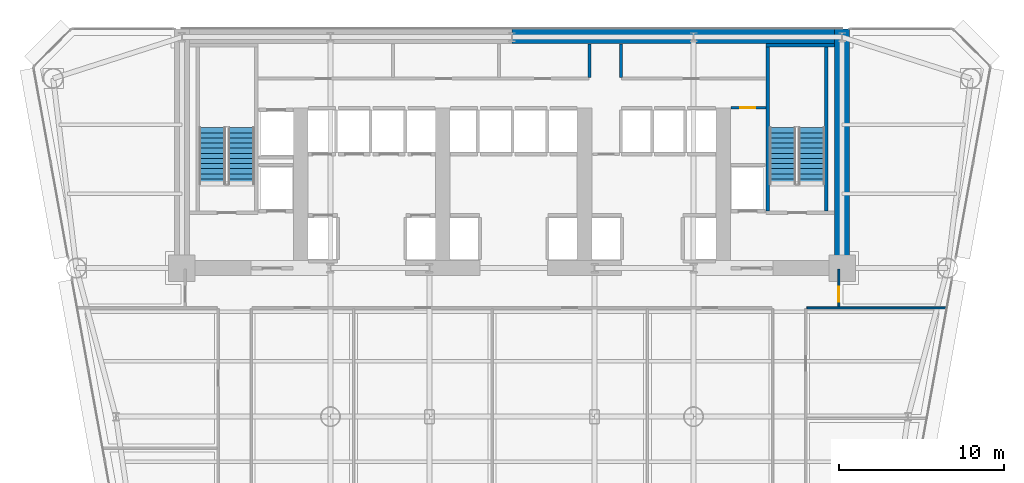
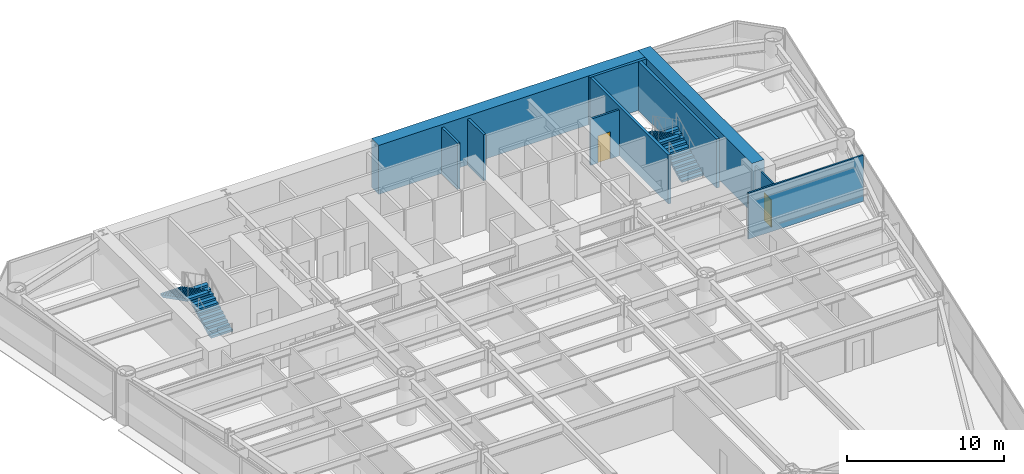
# One storey, part 10 of 14: 10 walls, 4 stair flights, 2 doors, 2 openings, 2 elements without a shape of their own.
"""IFC4 building model written with IfcOpenShell, lengths in metres."""

from ifc_helpers import new_model, si_unit, direction, frame, frame_2d, origin, place, context, subcontext, project, spatial, polyline, rectangle, outline, extrude, source, transform, mapped, material, layer, layer_set, type_object, element, fill, aggregate, save


model = new_model("IFC4")

# Units and contexts
model_context = context("Model", 3, precision=1e-05, world=origin(), true_north=direction((0.0, 1.0)))
body_context = subcontext(model_context, "Body", "Model", "MODEL_VIEW")
ifc_project = project(units=[si_unit("LENGTHUNIT", "METRE"), si_unit("AREAUNIT", "SQUARE_METRE"), si_unit("VOLUMEUNIT", "CUBIC_METRE"), si_unit("PLANEANGLEUNIT", "RADIAN"), si_unit("MASSUNIT", "GRAM", prefix="KILO")], contexts=[model_context])

# Site, building, storey
site_placement = place(None, origin())
site = spatial("IfcSite", under=ifc_project, at=site_placement, CompositionType="ELEMENT")
building_placement = place(site_placement, origin())
building = spatial("IfcBuilding", under=site, at=building_placement, Name="Vaeldorn Concourse Tower", CompositionType="ELEMENT")
storey_placement = place(building_placement, frame((0.0, 0.0, 26.39990234375)))
storey = spatial("IfcBuildingStorey", under=building, at=storey_placement, Name="L06", CompositionType="ELEMENT", Elevation=26.39990234375)

# Walls
ifc_material_1 = material(Name="Concrete C60/75", Category="concrete")
ifc_layer_1 = layer(ifc_material_1, 0.89990234375)
ifc_layer_set_1 = layer_set([ifc_layer_1], Name="Concrete C60/75")
wall_type_1 = type_object("IfcWallType", Name="WL-CORE-900", PredefinedType="SHEAR", material=ifc_layer_set_1)
wall_1_placement = place(storey_placement, frame((34.001953125, 50.550048828125, 0.0), z_axis=(0.0, 0.0, 1.0), x_axis=(1.0, 0.0, 0.0)))
element("IfcWall", 1, at=wall_1_placement, inside=storey, type_object=wall_type_1, Name="Rear Core Shear Wall L06 N2", PredefinedType="SHEAR", context=body_context, shape_type="SweptSolid", body=[
    extrude(rectangle(XDim=19.5439453125, YDim=0.89990234375, at=frame_2d((9.77197265625, 0.0))), origin(), (0.0, 0.0, 1.0), 3.800048828125),
])
wall_2_placement = place(storey_placement, frame((54.0, 36.5, 0.0), z_axis=(0.0, 0.0, 1.0), x_axis=(0.0, 1.0, 0.0)))
element("IfcWall", 2, at=wall_2_placement, inside=storey, type_object=wall_type_1, Name="Rear Core Shear Wall L06 E1", PredefinedType="SHEAR", context=body_context, shape_type="SweptSolid", body=[
    extrude(rectangle(XDim=14.5, YDim=0.89990234375, at=frame_2d((7.25, 0.0))), origin(), (0.0, 0.0, 1.0), 3.800048828125),
])
ifc_material_2 = material(Name="Gypsum Board Partition", Category="gypsum")
ifc_layer_2 = layer(ifc_material_2, 0.1201171875)
ifc_layer_set_2 = layer_set([ifc_layer_2], Name="Gypsum Board Partition")
wall_type_2 = type_object("IfcWallType", Name="WL-PART-120", PredefinedType="PARTITIONING", material=ifc_layer_set_2)
wall_3_placement = place(storey_placement, frame((51.860107421875, 34.10009765625, 0.0), z_axis=(0.0, 0.0, 1.0), x_axis=(1.0, 0.0, 0.0)))
element("IfcWall", 3, at=wall_3_placement, inside=storey, type_object=wall_type_2, Name="Interior Wall PW-L06-CEWE", PredefinedType="PARTITIONING", context=body_context, shape_type="SweptSolid", body=[
    extrude(rectangle(XDim=8.44970703125, YDim=0.1201171875, at=frame_2d((4.224853515625, 0.0))), origin(), (0.0, 0.0, 1.0), 3.580078125),
])

# Wall, opening, door
wall_4_placement = place(storey_placement, frame((53.800048828125, 34.159912109375, 0.0), z_axis=(0.0, 0.0, 1.0), x_axis=(0.0, 1.0, 0.0)))
wall_4 = element("IfcWall", 4, at=wall_4_placement, inside=storey, type_object=wall_type_2, Name="Interior Wall PW-L06-CEET", PredefinedType="PARTITIONING", context=body_context, shape_type="SweptSolid", body=[
    extrude(rectangle(XDim=2.280029296875, YDim=0.1201171875, at=frame_2d((1.14013671875, 0.0))), origin(), (0.0, 0.0, 1.0), 3.580078125),
])
opening_1_placement = place(wall_4_placement, frame((0.300048828125, 0.0, 0.0)))
opening_1 = element("IfcOpeningElement", 5, at=opening_1_placement, cuts=wall_4, Name="Opening D-03", PredefinedType="OPENING", context=body_context, shape_type="SweptSolid", body=[
    extrude(rectangle(XDim=0.89990234375, YDim=2.14990234375, at=frame_2d((0.449951171875, 1.074951171875))), frame((0.0, 0.070068359375, 0.0), z_axis=(0.0, -1.0, 0.0), x_axis=(1.0, 0.0, 0.0)), (0.0, 0.0, 1.0), 0.14013671875),
])
ifc_material_3 = material(Name="Acoustic Bronze-Framed Glass Door", Category="glass")
door_type_1 = type_object("IfcDoorType", Name="DR-INT-900", OperationType="NOTDEFINED", PredefinedType="DOOR", material=ifc_material_3)
shared_shape_1 = source(origin(), body_context, "Body", "SweptSolid", [
    extrude(rectangle(XDim=0.89990234375, YDim=2.14990234375, at=frame_2d((0.449951171875, 1.074951171875))), frame((0.0, 0.02490234375, 0.0), z_axis=(0.0, -1.0, 0.0), x_axis=(1.0, 0.0, 0.0)), (0.0, 0.0, 1.0), 0.050048828125),
])
door_1_placement = place(opening_1_placement, origin())
door_1 = element("IfcDoor", 6, at=door_1_placement, inside=storey, type_object=door_type_1, Name="Interior Door DR-L06-NE1", OperationType="SINGLE_SWING_RIGHT", OverallHeight=2.14990234375, OverallWidth=0.89990234375, PredefinedType="DOOR", context=body_context, shape_type="MappedRepresentation", body=[
    mapped(shared_shape_1, transform((0.0, 0.0, 0.0), scale=1.0)),
])
fill(opening_1, door_1)

ifc_layer_3 = layer(ifc_material_2, 0.14990234375)
ifc_layer_set_3 = layer_set([ifc_layer_3], Name="Gypsum Board Partition")
wall_type_3 = type_object("IfcWallType", Name="WL-PART-150", PredefinedType="PARTITIONING", material=ifc_layer_set_3)
wall_5_placement = place(storey_placement, frame((47.280029296875, 46.219970703125, 0.0), z_axis=(0.0, 0.0, 1.0), x_axis=(1.0, 0.0, 0.0)))
wall_5 = element("IfcWall", 7, at=wall_5_placement, inside=storey, type_object=wall_type_3, Name="Interior Wall CW-L06-CRSE-N", PredefinedType="PARTITIONING", context=body_context, shape_type="SweptSolid", body=[
    extrude(rectangle(XDim=2.099853515625, YDim=0.14990234375, at=frame_2d((1.0498046875, 0.0))), origin(), (0.0, 0.0, 1.0), 3.580078125),
])
opening_2_placement = place(wall_5_placement, frame((0.550048828125, 0.0, 0.0)))
opening_2 = element("IfcOpeningElement", 8, at=opening_2_placement, cuts=wall_5, Name="Opening D-02", PredefinedType="OPENING", context=body_context, shape_type="SweptSolid", body=[
    extrude(rectangle(XDim=0.89990234375, YDim=2.10009765625, at=frame_2d((0.449951171875, 1.050048828125))), frame((0.0, 0.0849609375, 0.0), z_axis=(0.0, -1.0, 0.0), x_axis=(1.0, 0.0, 0.0)), (0.0, 0.0, 1.0), 0.169921875),
])
ifc_material_4 = material(Name="Fire-Rated Timber Leaf", Category="wood")
door_type_2 = type_object("IfcDoorType", Name="DR-FD30-900", OperationType="NOTDEFINED", PredefinedType="DOOR", material=ifc_material_4)
shared_shape_2 = source(origin(), body_context, "Body", "SweptSolid", [
    extrude(rectangle(XDim=0.89990234375, YDim=2.10009765625, at=frame_2d((0.449951171875, 1.050048828125))), frame((0.0, 0.02490234375, 0.0), z_axis=(0.0, -1.0, 0.0), x_axis=(1.0, 0.0, 0.0)), (0.0, 0.0, 1.0), 0.050048828125),
])
door_2_placement = place(opening_2_placement, origin())
door_2 = element("IfcDoor", 9, at=door_2_placement, inside=storey, type_object=door_type_2, Name="Interior Door DR-L06-CRSE", OperationType="SINGLE_SWING_RIGHT", OverallHeight=2.10009765625, OverallWidth=0.89990234375, PredefinedType="DOOR", context=body_context, shape_type="MappedRepresentation", body=[
    mapped(shared_shape_2, transform((0.0, 0.0, 0.0), scale=1.0)),
])
fill(opening_2, door_2)

# Walls
ifc_layer_4 = layer(ifc_material_2, 0.179931640625)
ifc_layer_set_4 = layer_set([ifc_layer_4], Name="Gypsum Board Partition")
wall_type_4 = type_object("IfcWallType", Name="WL-PLUMB-180", PredefinedType="PLUMBINGWALL", material=ifc_layer_set_4)
for number, where, z_axis, x_axis, name in (
    (10, (38.699951171875, 48.06005859375, 0.0), (0.0, 0.0, 1.0), (0.0, 1.0, 0.0), "Interior Wall CW-L06-NDIV3"),
    (11, (40.60009765625, 48.06005859375, 0.0), (0.0, 0.0, 1.0), (0.0, 1.0, 0.0), "Interior Wall CW-L06-NDIV4"),
):
    element("IfcWall", number, at=place(storey_placement, frame(where, z_axis=z_axis, x_axis=x_axis)), inside=storey, type_object=wall_type_4, Name=name, PredefinedType="PLUMBINGWALL", context=body_context, shape_type="SweptSolid", body=[
        extrude(rectangle(XDim=2.02001953125, YDim=0.179931640625, at=frame_2d((1.010009765625, 0.0))), origin(), (0.0, 0.0, 1.0), 3.580078125),
    ])
ifc_material_5 = material(Name="Concrete C50/60", Category="concrete")
ifc_layer_5 = layer(ifc_material_5, 0.199951171875)
ifc_layer_set_5 = layer_set([ifc_layer_5], Name="Concrete C50/60")
wall_type_5 = type_object("IfcWallType", Name="WL-SHAFT-200", PredefinedType="SOLIDWALL", material=ifc_layer_set_5)
wall_6_placement = place(storey_placement, frame((49.39990234375, 50.0, 0.0), z_axis=(0.0, 0.0, 1.0), x_axis=(1.0, 0.0, 0.0)))
element("IfcWall", 12, at=wall_6_placement, inside=storey, type_object=wall_type_5, Name="Stair Shaft Wall CW-L06-ST-2-N", PredefinedType="SOLIDWALL", context=body_context, shape_type="SweptSolid", body=[
    extrude(rectangle(XDim=4.150146484375, YDim=0.199951171875, at=frame_2d((2.0751953125, 0.0))), origin(), (0.0, 0.0, 1.0), 3.800048828125),
])
for number, where, z_axis, x_axis, name in (
    (13, (49.5, 39.9599609375, 0.0), (0.0, 0.0, 1.0), (0.0, 1.0, 0.0), "Stair Shaft Wall CW-L06-ST-2-W"),
    (14, (53.050048828125, 39.9599609375, 0.0), (0.0, 0.0, 1.0), (0.0, 1.0, 0.0), "Stair Shaft Wall CW-L06-ST-2-E"),
):
    element("IfcWall", number, at=place(storey_placement, frame(where, z_axis=z_axis, x_axis=x_axis)), inside=storey, type_object=wall_type_5, Name=name, PredefinedType="SOLIDWALL", context=body_context, shape_type="SweptSolid", body=[
        extrude(rectangle(XDim=9.929931640625, YDim=0.199951171875, at=frame_2d((4.96484375, 0.0))), origin(), (0.0, 0.0, 1.0), 3.800048828125),
    ])

# Stair, stair flights
ifc_material_6 = material(Name="Precast concrete C40/50", Category="concrete")
stair_type = type_object("IfcStairType", Name="STR-DOG-24x158", PredefinedType="HALF_TURN_STAIR", material=ifc_material_6)
stair_1_placement = place(storey_placement, origin())
stair_1 = element("IfcStair", 15, at=stair_1_placement, inside=storey, type_object=stair_type, Name="L06 West Core Exit Stair ST-1", PredefinedType="HALF_TURN_STAIR")
stair_flight_type = type_object("IfcStairFlightType", Name="STF-STR-12x158", PredefinedType="STRAIGHT", material=ifc_material_6)
stair_flight_1_placement = place(storey_placement, frame((17.60009765625, 41.60009765625, 0.0), z_axis=(0.0, 0.0, 1.0), x_axis=(0.0, 1.0, 0.0)))
stair_flight_1 = element("IfcStairFlight", 16, at=stair_flight_1_placement, type_object=stair_flight_type, Name="ST-1 flight 1", NumberOfRisers=12, NumberOfTreads=11, PredefinedType="STRAIGHT", RiserHeight=0.158333333, TreadLength=0.31, context=body_context, shape_type="SweptSolid", body=[
    extrude(outline(polyline([(0.0, 0.0), (0.0, 0.158447265625), (0.31005859375, 0.158447265625), (0.31005859375, 0.316650390625), (0.6201171875, 0.316650390625), (0.6201171875, 0.47509765625), (0.929931640625, 0.47509765625), (0.929931640625, 0.63330078125), (1.239990234375, 0.63330078125), (1.239990234375, 0.791748046875), (1.550048828125, 0.791748046875), (1.550048828125, 0.949951171875), (1.860107421875, 0.949951171875), (1.860107421875, 1.1083984375), (2.169921875, 1.1083984375), (2.169921875, 1.2666015625), (2.47998046875, 1.2666015625), (2.47998046875, 1.425048828125), (2.7900390625, 1.425048828125), (2.7900390625, 1.583251953125), (3.10009765625, 1.583251953125), (3.10009765625, 1.74169921875), (3.409912109375, 1.74169921875), (3.409912109375, 1.89990234375), (3.409912109375, 1.5732421875), (0.32958984375, 0.0), (0.0, 0.0)])), frame((0.0, 0.800048828125, 0.0), z_axis=(0.0, -1.0, 0.0), x_axis=(1.0, 0.0, 0.0)), (0.0, 0.0, 1.0), 1.60009765625),
])
stair_flight_2_placement = place(storey_placement, frame((15.85009765625, 45.010009765625, 1.900146484375), z_axis=(0.0, 0.0, 1.0), x_axis=(0.0, -1.0, 0.0)))
stair_flight_2 = element("IfcStairFlight", 17, at=stair_flight_2_placement, type_object=stair_flight_type, Name="ST-1 flight 2", NumberOfRisers=12, NumberOfTreads=11, PredefinedType="STRAIGHT", RiserHeight=0.158333333, TreadLength=0.31, context=body_context, shape_type="SweptSolid", body=[
    extrude(outline(polyline([(0.0, 0.0), (0.0, 0.158447265625), (0.31005859375, 0.158447265625), (0.31005859375, 0.316650390625), (0.6201171875, 0.316650390625), (0.6201171875, 0.47509765625), (0.929931640625, 0.47509765625), (0.929931640625, 0.63330078125), (1.239990234375, 0.63330078125), (1.239990234375, 0.791748046875), (1.550048828125, 0.791748046875), (1.550048828125, 0.949951171875), (1.860107421875, 0.949951171875), (1.860107421875, 1.1083984375), (2.169921875, 1.1083984375), (2.169921875, 1.2666015625), (2.47998046875, 1.2666015625), (2.47998046875, 1.425048828125), (2.7900390625, 1.425048828125), (2.7900390625, 1.583251953125), (3.10009765625, 1.583251953125), (3.10009765625, 1.74169921875), (3.409912109375, 1.74169921875), (3.409912109375, 1.89990234375), (3.409912109375, 1.5732421875), (0.32958984375, 0.0), (0.0, 0.0)])), frame((0.0, 0.800048828125, 0.0), z_axis=(0.0, -1.0, 0.0), x_axis=(1.0, 0.0, 0.0)), (0.0, 0.0, 1.0), 1.60009765625),
])
aggregate(stair_1, [stair_flight_1, stair_flight_2])

stair_2_placement = place(storey_placement, origin())
stair_2 = element("IfcStair", 18, at=stair_2_placement, inside=storey, type_object=stair_type, Name="L06 East Core Exit Stair ST-2", PredefinedType="HALF_TURN_STAIR")
stair_flight_3_placement = place(storey_placement, frame((52.14990234375, 41.60009765625, 0.0), z_axis=(0.0, 0.0, 1.0), x_axis=(0.0, 1.0, 0.0)))
stair_flight_3 = element("IfcStairFlight", 19, at=stair_flight_3_placement, type_object=stair_flight_type, Name="ST-2 flight 1", NumberOfRisers=12, NumberOfTreads=11, PredefinedType="STRAIGHT", RiserHeight=0.158333333, TreadLength=0.31, context=body_context, shape_type="SweptSolid", body=[
    extrude(outline(polyline([(0.0, 0.0), (0.0, 0.158447265625), (0.31005859375, 0.158447265625), (0.31005859375, 0.316650390625), (0.6201171875, 0.316650390625), (0.6201171875, 0.47509765625), (0.929931640625, 0.47509765625), (0.929931640625, 0.63330078125), (1.239990234375, 0.63330078125), (1.239990234375, 0.791748046875), (1.550048828125, 0.791748046875), (1.550048828125, 0.949951171875), (1.860107421875, 0.949951171875), (1.860107421875, 1.1083984375), (2.169921875, 1.1083984375), (2.169921875, 1.2666015625), (2.47998046875, 1.2666015625), (2.47998046875, 1.425048828125), (2.7900390625, 1.425048828125), (2.7900390625, 1.583251953125), (3.10009765625, 1.583251953125), (3.10009765625, 1.74169921875), (3.409912109375, 1.74169921875), (3.409912109375, 1.89990234375), (3.409912109375, 1.5732421875), (0.32958984375, 0.0), (0.0, 0.0)])), frame((0.0, 0.800048828125, 0.0), z_axis=(0.0, -1.0, 0.0), x_axis=(1.0, 0.0, 0.0)), (0.0, 0.0, 1.0), 1.60009765625),
])
stair_flight_4_placement = place(storey_placement, frame((50.39990234375, 45.010009765625, 1.900146484375), z_axis=(0.0, 0.0, 1.0), x_axis=(0.0, -1.0, 0.0)))
stair_flight_4 = element("IfcStairFlight", 20, at=stair_flight_4_placement, type_object=stair_flight_type, Name="ST-2 flight 2", NumberOfRisers=12, NumberOfTreads=11, PredefinedType="STRAIGHT", RiserHeight=0.158333333, TreadLength=0.31, context=body_context, shape_type="SweptSolid", body=[
    extrude(outline(polyline([(0.0, 0.0), (0.0, 0.158447265625), (0.31005859375, 0.158447265625), (0.31005859375, 0.316650390625), (0.6201171875, 0.316650390625), (0.6201171875, 0.47509765625), (0.929931640625, 0.47509765625), (0.929931640625, 0.63330078125), (1.239990234375, 0.63330078125), (1.239990234375, 0.791748046875), (1.550048828125, 0.791748046875), (1.550048828125, 0.949951171875), (1.860107421875, 0.949951171875), (1.860107421875, 1.1083984375), (2.169921875, 1.1083984375), (2.169921875, 1.2666015625), (2.47998046875, 1.2666015625), (2.47998046875, 1.425048828125), (2.7900390625, 1.425048828125), (2.7900390625, 1.583251953125), (3.10009765625, 1.583251953125), (3.10009765625, 1.74169921875), (3.409912109375, 1.74169921875), (3.409912109375, 1.89990234375), (3.409912109375, 1.5732421875), (0.32958984375, 0.0), (0.0, 0.0)])), frame((0.0, 0.800048828125, 0.0), z_axis=(0.0, -1.0, 0.0), x_axis=(1.0, 0.0, 0.0)), (0.0, 0.0, 1.0), 1.60009765625),
])
aggregate(stair_2, [stair_flight_3, stair_flight_4])

save(model, "model.ifc")
